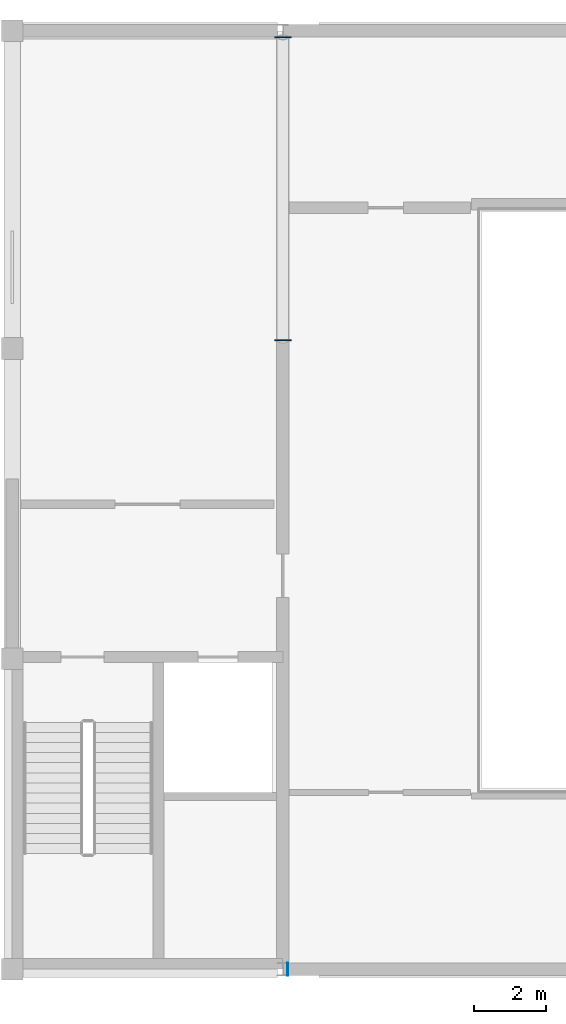
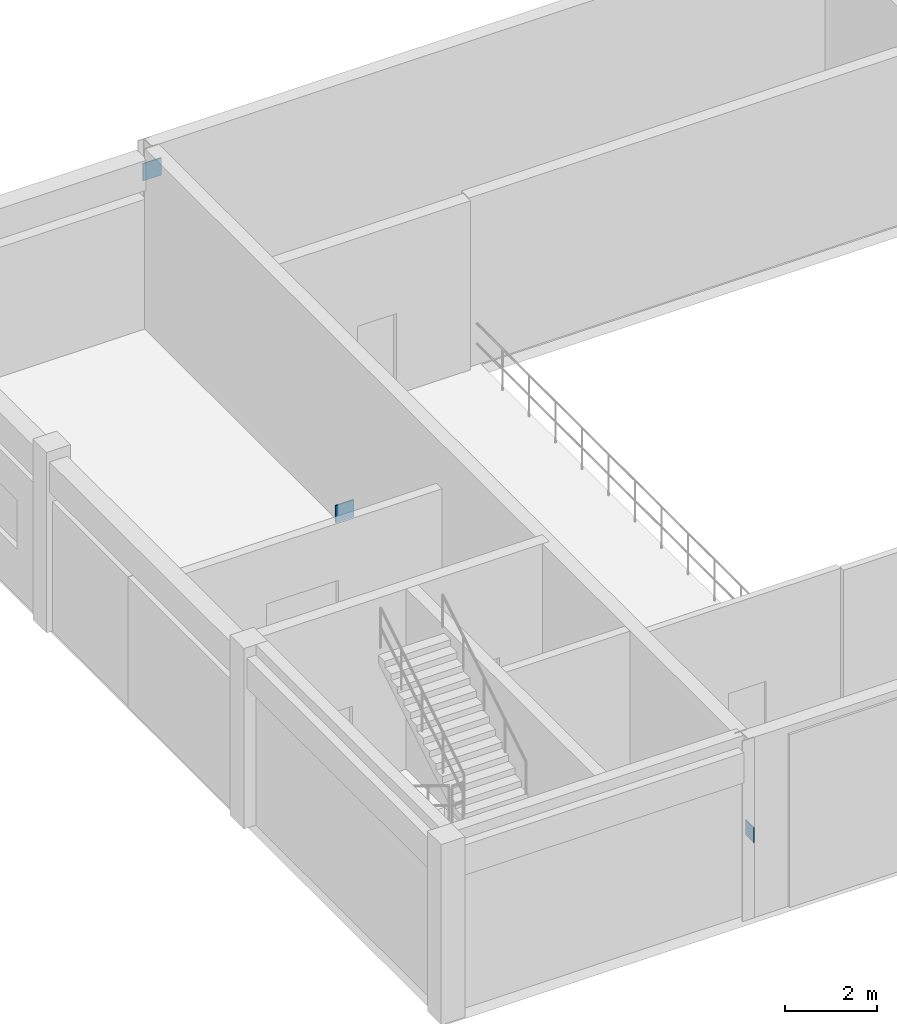
# One storey, part 4 of 9: 3 plates.
"""IFC4 building model written with IfcOpenShell, lengths in metres."""

from ifc_helpers import new_model, si_unit, direction, frame, origin, origin_2d, place, context, subcontext, project, spatial, rectangle, extrude, material, layer, layer_set, type_object, element, save


model = new_model("IFC4")

# Units and contexts
model_context = context("Model", 3, precision=1e-05, world=origin(), true_north=direction((0.0, 1.0)))
body_context = subcontext(model_context, "Body", "Model", "MODEL_VIEW")
ifc_project = project(units=[si_unit("LENGTHUNIT", "METRE"), si_unit("AREAUNIT", "SQUARE_METRE"), si_unit("VOLUMEUNIT", "CUBIC_METRE"), si_unit("PLANEANGLEUNIT", "RADIAN"), si_unit("MASSUNIT", "GRAM", prefix="KILO")], contexts=[model_context])

# Site, building, storey
site_placement = place(None, origin())
site = spatial("IfcSite", under=ifc_project, at=site_placement, CompositionType="ELEMENT")
building_placement = place(site_placement, origin())
building = spatial("IfcBuilding", under=site, at=building_placement, Name="Muzn Square Opera House", CompositionType="ELEMENT")
storey_placement = place(building_placement, frame((0.0, 0.0, 23.39990234375)))
storey = spatial("IfcBuildingStorey", under=building, at=storey_placement, Name="L05", CompositionType="ELEMENT", Elevation=23.39990234375)

# Plates
ifc_material = material(Name="Steel S355", Category="steel")
ifc_layer_1 = layer(ifc_material, 0.028076171875, Name="Steel S355", Category="steel")
ifc_layer_set_1 = layer_set([ifc_layer_1], Name="Steel S355")
plate_type_1 = type_object("IfcPlateType", Name="Gusset Plate 28mm 460x460", PredefinedType="USERDEFINED", material=ifc_layer_set_1)
for number, where, z_axis, x_axis, name in (
    (1, (73.0, 90.02001953125, -0.02978515625), (0.0, 0.0, 1.0), (1.0, 0.0, 0.0), "Lateral Brace End Cap Plate SBRC-03-A"),
    (2, (73.0, 98.419921875, 3.97021484375), (0.0, 0.0, 1.0), (1.0, 0.0, 0.0), "Lateral Brace End Cap Plate SBRC-03-B"),
):
    element("IfcPlate", number, at=place(storey_placement, frame(where, z_axis=z_axis, x_axis=x_axis)), inside=storey, type_object=plate_type_1, Name=name, ObjectType="GUSSET PLATE", PredefinedType="USERDEFINED", context=body_context, shape_type="SweptSolid", body=[
        extrude(rectangle(XDim=0.4599609375, YDim=0.028076171875, at=origin_2d()), origin(), (0.0, 0.0, 1.0), 0.4599609375),
    ])
ifc_layer_2 = layer(ifc_material, 0.02392578125, Name="Steel S355", Category="steel")
ifc_layer_set_2 = layer_set([ifc_layer_2], Name="Steel S355")
plate_type_2 = type_object("IfcPlateType", Name="Proscenium End Plate 24mm 360x400", PredefinedType="USERDEFINED", material=ifc_layer_set_2)
plate_placement = place(storey_placement, frame((73.139892578125, 72.60009765625, 2.000244140625), z_axis=(0.0, 0.0, 1.0), x_axis=(1.0, 0.0, 0.0)))
element("IfcPlate", 3, at=plate_placement, inside=storey, type_object=plate_type_2, Name="Proscenium Chord End Plate PRCH-03-W", ObjectType="GUSSET PLATE", PredefinedType="USERDEFINED", context=body_context, shape_type="SweptSolid", body=[
    extrude(rectangle(XDim=0.02392578125, YDim=0.360107421875, at=origin_2d()), origin(), (0.0, 0.0, 1.0), 0.39990234375),
])

save(model, "model.ifc")
